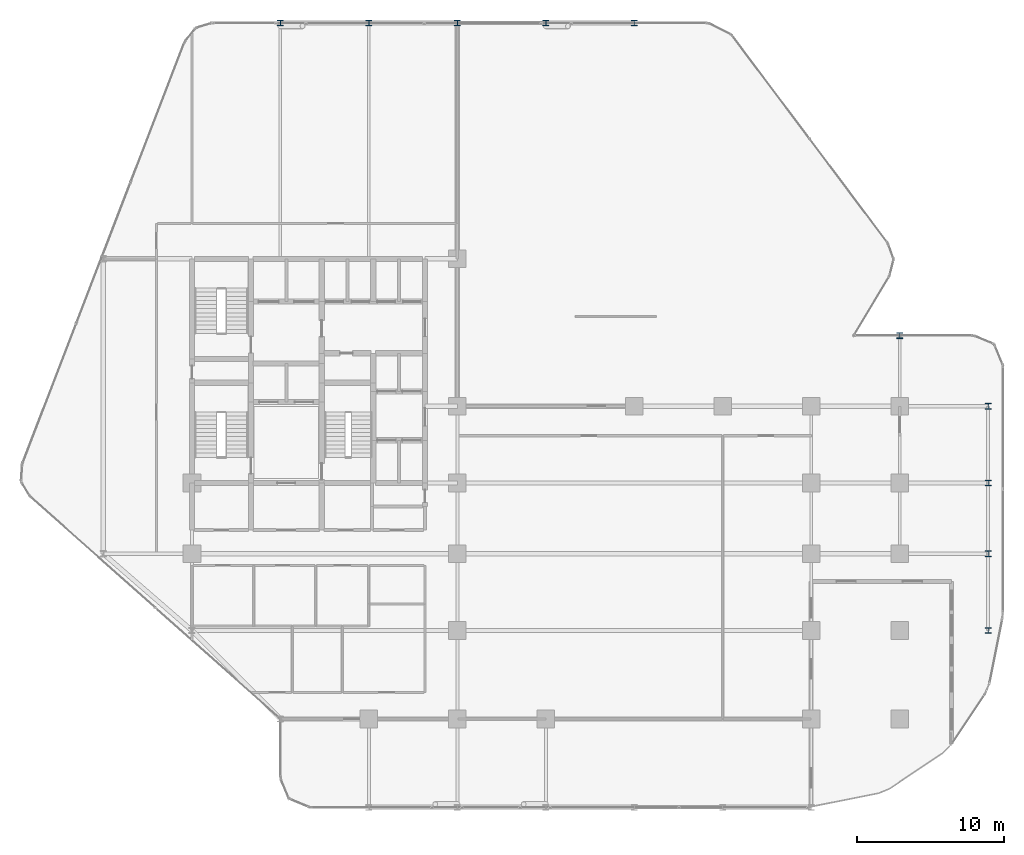
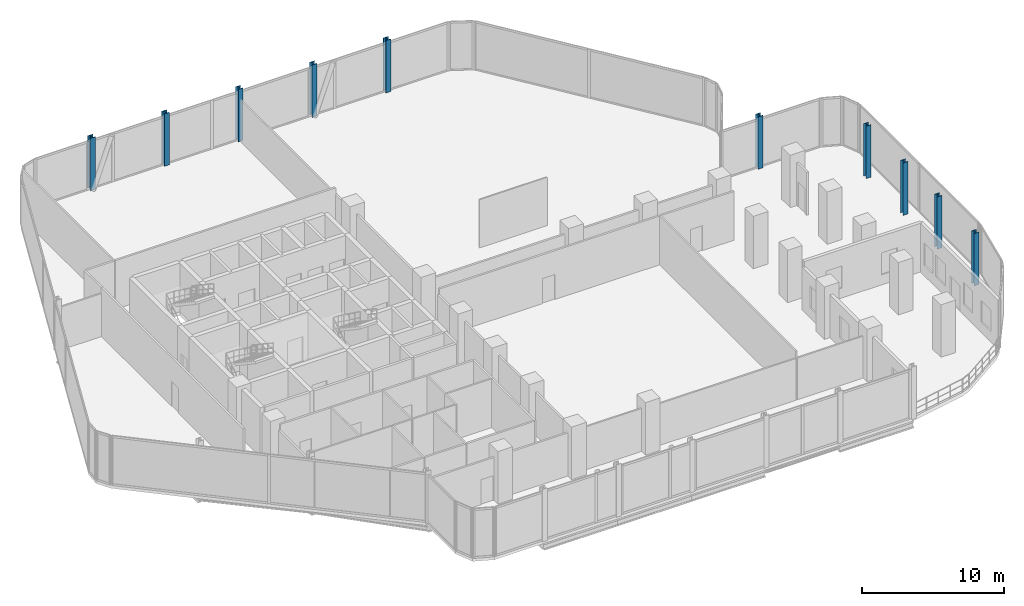
# One storey, part 2 of 30: 10 columns.
"""IFC4 building model written with IfcOpenShell, lengths in metres."""

from ifc_helpers import new_model, si_unit, direction, frame, origin, origin_2d, place, context, subcontext, project, spatial, i_section, extrude, material, material_profile, profile_set, type_object, element, save


model = new_model("IFC4")

# Units and contexts
model_context = context("Model", 3, precision=1e-05, world=origin(), true_north=direction((0.0, 1.0)))
body_context = subcontext(model_context, "Body", "Model", "MODEL_VIEW")
ifc_project = project(units=[si_unit("LENGTHUNIT", "METRE"), si_unit("AREAUNIT", "SQUARE_METRE"), si_unit("VOLUMEUNIT", "CUBIC_METRE"), si_unit("PLANEANGLEUNIT", "RADIAN"), si_unit("MASSUNIT", "GRAM", prefix="KILO")], contexts=[model_context])

# Site, building, storey
site_placement = place(None, origin())
site = spatial("IfcSite", under=ifc_project, at=site_placement, CompositionType="ELEMENT")
building_placement = place(site_placement, origin())
building = spatial("IfcBuilding", under=site, at=building_placement, Name="Keshet Zoharim Tower", CompositionType="ELEMENT")
storey_placement = place(building_placement, frame((0.0, 0.0, 65.60009765625)))
storey = spatial("IfcBuildingStorey", under=building, at=storey_placement, Name="L15", CompositionType="ELEMENT", Elevation=65.60009765625)

# Columns
ifc_material = material(Name="Steel S355", Category="steel")
ifc_material_profile = material_profile(ifc_material, i_section(OverallWidth=0.40087890625, OverallDepth=0.39892578125, WebThickness=0.02490234375, FlangeThickness=0.03955078125, FilletRadius=0.014892578125, at=origin_2d()), Name="HD400x314")
ifc_profile_set = profile_set([ifc_material_profile], Name="Steel S355")
column_type = type_object("IfcColumnType", Name="COL-HD314", PredefinedType="COLUMN", material=ifc_profile_set)
for number, where, z_axis, x_axis, name in (
    (1, (21.0, 53.89990234375, 0.0), (0.0, 0.0, 1.0), (1.0, 0.0, 0.0), "L15 Column 4L"),
    (2, (27.0, 53.89990234375, 0.0), (0.0, 0.0, 1.0), (1.0, 0.0, 0.0), "L15 Column 5L"),
    (3, (33.0, 53.89990234375, 0.0), (0.0, 0.0, 1.0), (1.0, 0.0, 0.0), "L15 Column 6L"),
    (4, (39.0, 53.89990234375, 0.0), (0.0, 0.0, 1.0), (1.0, 0.0, 0.0), "L15 Column 7L"),
    (5, (45.0, 53.89990234375, 0.0), (0.0, 0.0, 1.0), (1.0, 0.0, 0.0), "L15 Column 8L"),
    (6, (63.0, 32.699951171875, 0.0), (0.0, 0.0, 1.0), (1.0, 0.0, 0.0), "L15 Column 11G"),
    (7, (69.0, 12.699951171875, 0.0), (0.0, 0.0, 1.0), (1.0, 0.0, 0.0), "L15 Column 12C"),
    (8, (69.0, 17.89990234375, 0.0), (0.0, 0.0, 1.0), (1.0, 0.0, 0.0), "L15 Column 12D"),
    (9, (69.0, 22.699951171875, 0.0), (0.0, 0.0, 1.0), (1.0, 0.0, 0.0), "L15 Column 12E"),
    (10, (69.0, 27.89990234375, 0.0), (0.0, 0.0, 1.0), (1.0, 0.0, 0.0), "L15 Column 12F"),
):
    element("IfcColumn", number, at=place(storey_placement, frame(where, z_axis=z_axis, x_axis=x_axis)), inside=storey, type_object=column_type, Name=name, PredefinedType="COLUMN", context=body_context, shape_type="SweptSolid", body=[
        extrude(i_section(OverallWidth=0.40087890625, OverallDepth=0.39892578125, WebThickness=0.02490234375, FlangeThickness=0.03955078125, FilletRadius=0.014892578125, at=origin_2d()), origin(), (0.0, 0.0, 1.0), 4.5),
    ])

save(model, "model.ifc")
